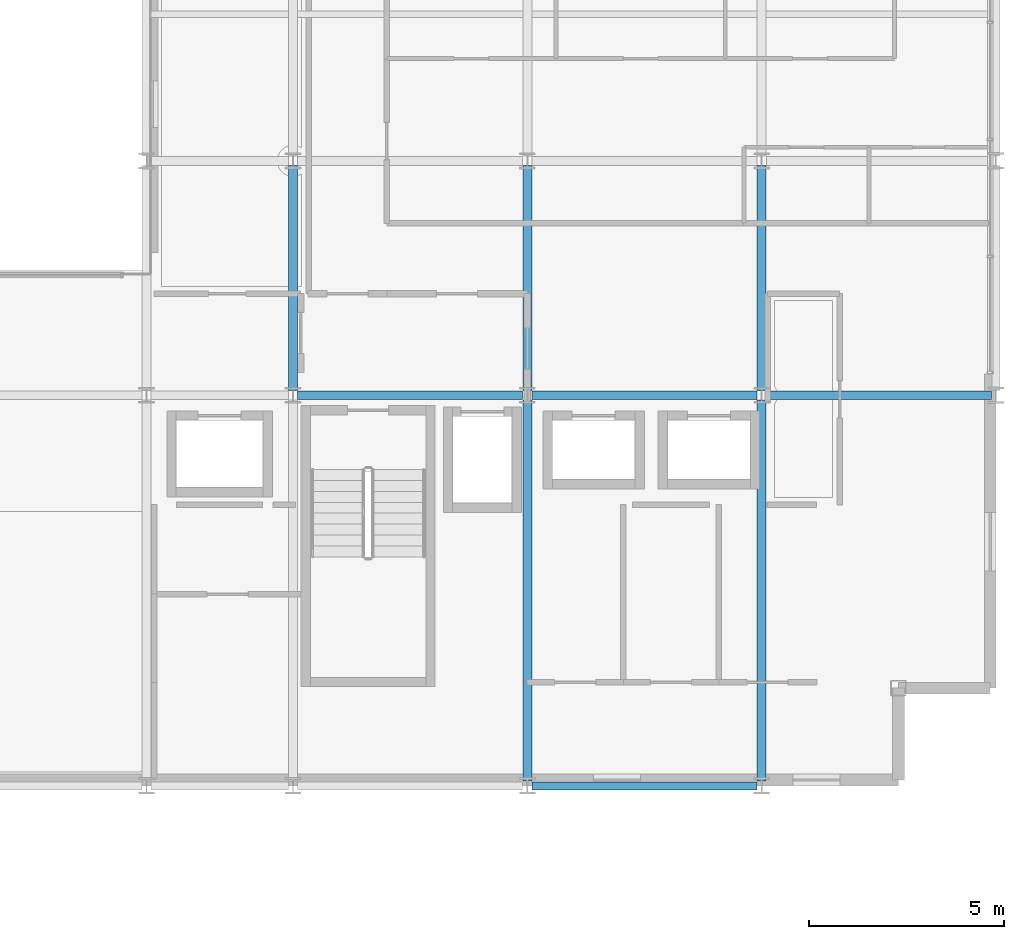
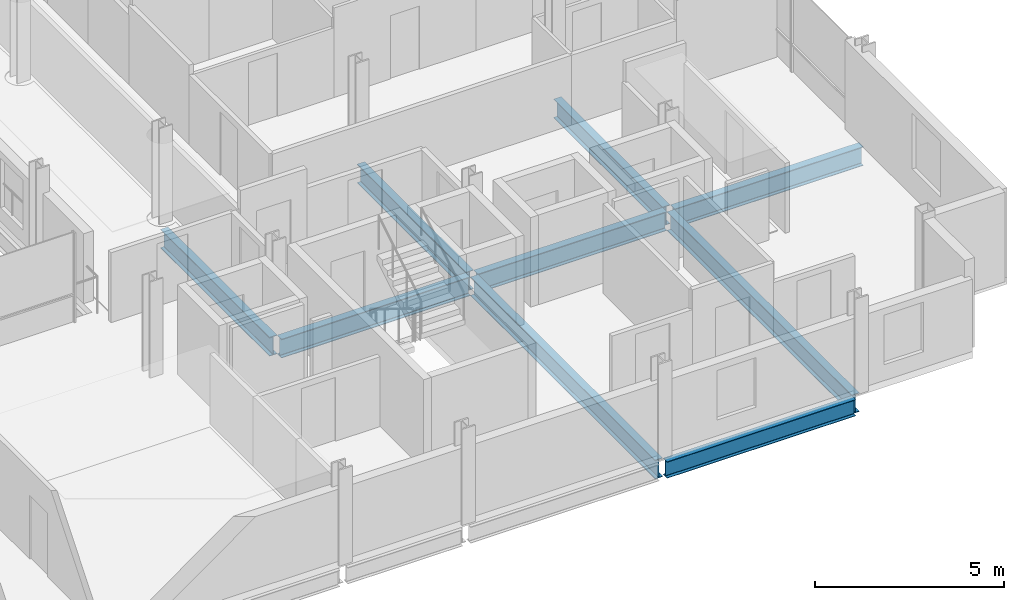
# One storey, part 16 of 41: 9 beams.
"""IFC4 building model written with IfcOpenShell, lengths in metres."""

import ifcopenshell
import ifcopenshell.guid

model = None  # the IFC model being written
_history = None  # IfcOwnerHistory: only IFC2X3 demands one
_inside = {}  # id of a spatial element -> (the spatial element, [elements in it])
_under = {}  # id of a project, library or spatial element -> (it, [spatial elements below it])
_declared = {}  # id of a project -> (the project, [libraries it declares])
_typed = {}  # id of a type object -> (the type object, [elements of that type])
_made_of = {}  # id of a material, layer set ... -> (it, [elements and type objects made of it])


def new_model(schema):
    """Start an empty IFC model of exactly this schema.

    Asked for "IFC4X3", IfcOpenShell would pick the latest addendum, in which some entities
    have other attributes; the version numbers below select the first issue.
    IFC2X3 requires an IfcOwnerHistory on every rooted entity: one is made here for all.
    """
    global model, _history
    if schema == "IFC4X3":
        model = ifcopenshell.file(schema_version=(4, 3, 0, 0))
    else:
        model = ifcopenshell.file(schema=schema)
    _inside.clear()
    _under.clear()
    _declared.clear()
    _typed.clear()
    _made_of.clear()
    _history = None
    if model.schema == "IFC2X3":
        org = make("IfcOrganization", Name="unknown")
        user = make(
            "IfcPersonAndOrganization",
            ThePerson=make("IfcPerson", FamilyName="unknown"),
            TheOrganization=org,
        )
        app = make(
            "IfcApplication",
            ApplicationDeveloper=org,
            Version="unknown",
            ApplicationFullName="unknown",
            ApplicationIdentifier="unknown",
        )
        _history = make(
            "IfcOwnerHistory",
            OwningUser=user,
            OwningApplication=app,
            ChangeAction="ADDED",
            CreationDate=0,
        )
    return model


def make(cls, **values):
    """One entity of the class cls with the attributes given. An attribute that is None is left unset."""
    return model.create_entity(
        cls, **{name: value for name, value in values.items() if value is not None}
    )


def rooted(cls, **values):
    """An entity with a GlobalId (a new one), such as an element, a storey or a relation."""
    return make(cls, GlobalId=ifcopenshell.guid.new(), OwnerHistory=_history, **values)


def si_unit(unit_type, name, prefix=None):
    """IfcSIUnit, for example si_unit("LENGTHUNIT", "METRE", prefix="MILLI")."""
    return make("IfcSIUnit", UnitType=unit_type, Prefix=prefix, Name=name)


def assignment(units):
    """IfcUnitAssignment: the units of a project."""
    return None if units is None else make("IfcUnitAssignment", Units=units)


def point(xyz):
    """IfcCartesianPoint."""
    return None if xyz is None else make("IfcCartesianPoint", Coordinates=xyz)


def direction(xyz):
    """IfcDirection."""
    return None if xyz is None else make("IfcDirection", DirectionRatios=xyz)


def frame(location, z_axis=None, x_axis=None):
    """IfcAxis2Placement3D, a coordinate frame: its origin and axes. An axis left out is left unset."""
    return make(
        "IfcAxis2Placement3D",
        Location=point(location),
        Axis=direction(z_axis),
        RefDirection=direction(x_axis),
    )


def frame_2d(location, x_axis=None):
    """IfcAxis2Placement2D, a coordinate frame in the plane: its origin and x axis."""
    return make(
        "IfcAxis2Placement2D", Location=point(location), RefDirection=direction(x_axis)
    )


def origin():
    """The frame at (0, 0, 0) with its axes left unset."""
    return frame((0.0, 0.0, 0.0))


def origin_2d():
    """The frame at (0, 0) in the plane with its x axis left unset."""
    return frame_2d((0.0, 0.0))


def place(relative_to, where):
    """IfcLocalPlacement: puts the frame where relative to a parent placement (None: the world)."""
    return make(
        "IfcLocalPlacement", PlacementRelTo=relative_to, RelativePlacement=where
    )


def context(
    kind, dimensions, precision=None, world=None, true_north=None, identifier=None
):
    """IfcGeometricRepresentationContext, for example the 3D "Model" context."""
    return make(
        "IfcGeometricRepresentationContext",
        ContextIdentifier=identifier,
        ContextType=kind,
        CoordinateSpaceDimension=dimensions,
        Precision=precision,
        WorldCoordinateSystem=world,
        TrueNorth=true_north,
    )


def subcontext(parent, identifier, kind, view, scale=None):
    """IfcGeometricRepresentationSubContext, for example "Body" below "Model"."""
    return make(
        "IfcGeometricRepresentationSubContext",
        ContextIdentifier=identifier,
        ContextType=kind,
        ParentContext=parent,
        TargetScale=scale,
        TargetView=view,
    )


def project(units=None, contexts=None):
    """IfcProject with its units and contexts."""
    return rooted(
        "IfcProject",
        Name="project",
        RepresentationContexts=contexts,
        UnitsInContext=assignment(units),
    )


def spatial(cls, under=None, at=None, **own):
    """A site, building, storey or space (cls), placed at a placement, below another one or the project."""
    s = rooted(cls, ObjectPlacement=at, **own)
    if under is not None:
        _under.setdefault(under.id(), (under, []))[1].append(s)
    return s


def profile(cls, at=None, kind="AREA", **sizes):
    """A parametric profile (cls). Its sizes go by their IFC names, for example OverallWidth=200.0."""
    return make(cls, ProfileType=kind, Position=at, **sizes)


def i_section(**sizes):
    """IfcIShapeProfileDef."""
    return profile("IfcIShapeProfileDef", **sizes)


def extrude(swept, where, along, depth):
    """IfcExtrudedAreaSolid: the profile swept, set in the frame where, extruded along a direction by depth."""
    return make(
        "IfcExtrudedAreaSolid",
        SweptArea=swept,
        Position=where,
        ExtrudedDirection=direction(along),
        Depth=depth,
    )


def shape(context_of_items, identifier, shape_type, items):
    """IfcShapeRepresentation: the items that make up one representation, for example the "Body"."""
    return make(
        "IfcShapeRepresentation",
        ContextOfItems=context_of_items,
        RepresentationIdentifier=identifier,
        RepresentationType=shape_type,
        Items=items,
    )


def material(Name=None, Category=None):
    """IfcMaterial."""
    return make("IfcMaterial", Name=Name, Category=Category)


def material_profile(
    of_material, cross_section, Name=None, Category=None, Priority=None
):
    """IfcMaterialProfile: a cross section and its material."""
    return make(
        "IfcMaterialProfile",
        Name=Name,
        Material=of_material,
        Profile=cross_section,
        Priority=Priority,
        Category=Category,
    )


def profile_set(profiles, Name=None, composite=None):
    """IfcMaterialProfileSet."""
    return make(
        "IfcMaterialProfileSet",
        Name=Name,
        MaterialProfiles=profiles,
        CompositeProfile=composite,
    )


def made_of(thing, what):
    """Note that an element or type object is made of a material, layer set ...; save() writes the relation."""
    if what is not None:
        _made_of.setdefault(what.id(), (what, []))[1].append(thing)
    return thing


def type_object(cls, material=None, **own):
    """A type object (cls), such as IfcWallType, which elements share."""
    return made_of(rooted(cls, **own), material)


def element(
    cls,
    number,
    at=None,
    inside=None,
    cuts=None,
    type_object=None,
    material=None,
    context=None,
    identifier="Body",
    shape_type=None,
    held_by="IfcProductDefinitionShape",
    body=None,
    shapes=None,
    **own,
):
    """One element of the class cls, such as IfcWall. Its Tag is "e" and its number.

    at: its placement. inside: the storey or other place that contains it. cuts: it is an
    opening in that element (IfcRelVoidsElement). A single representation is given by context,
    identifier, shape_type and body (its items); several are given by shapes. held_by: the class
    of the entity that holds the representations. save() writes the other relations.
    """
    e = rooted(cls, Tag="e%d" % number, ObjectPlacement=at, **own)
    if body is not None:
        shapes = [shape(context, identifier, shape_type, body)]
    if shapes is not None:
        e.Representation = make(held_by, Representations=shapes)
    if inside is not None:
        _inside.setdefault(inside.id(), (inside, []))[1].append(e)
    if cuts is not None:
        rooted(
            "IfcRelVoidsElement", RelatingBuildingElement=cuts, RelatedOpeningElement=e
        )
    if type_object is not None:
        _typed.setdefault(type_object.id(), (type_object, []))[1].append(e)
    return made_of(e, material)


def aggregate(whole, parts):
    """IfcRelAggregates: a whole, such as a stair, and the parts it consists of."""
    return rooted("IfcRelAggregates", RelatingObject=whole, RelatedObjects=parts)


def save(model, path):
    """Write the relations noted so far, then the file.

    IfcRelAggregates (storeys below a building ...), IfcRelContainedInSpatialStructure (elements
    in a storey), IfcRelDefinesByType, IfcRelAssociatesMaterial and IfcRelDeclares: one each for
    every whole, place, type object, material and project.
    """
    for whole, parts in _under.values():
        aggregate(whole, parts)
    for where, things in _inside.values():
        rooted(
            "IfcRelContainedInSpatialStructure",
            RelatedElements=things,
            RelatingStructure=where,
        )
    for kind, things in _typed.values():
        rooted("IfcRelDefinesByType", RelatedObjects=things, RelatingType=kind)
    for what, things in _made_of.values():
        rooted("IfcRelAssociatesMaterial", RelatedObjects=things, RelatingMaterial=what)
    for by, libraries in _declared.values():
        rooted("IfcRelDeclares", RelatingContext=by, RelatedDefinitions=libraries)
    model.write(path)


model = new_model("IFC4")

# Units and contexts
model_context = context("Model", 3, precision=1e-05, world=origin(), true_north=direction((0.0, 1.0)))
body_context = subcontext(model_context, "Body", "Model", "MODEL_VIEW")
ifc_project = project(units=[si_unit("LENGTHUNIT", "METRE"), si_unit("AREAUNIT", "SQUARE_METRE"), si_unit("VOLUMEUNIT", "CUBIC_METRE"), si_unit("PLANEANGLEUNIT", "RADIAN"), si_unit("MASSUNIT", "GRAM", prefix="KILO")], contexts=[model_context])

# Site, building, storey
site_placement = place(None, origin())
site = spatial("IfcSite", under=ifc_project, at=site_placement, CompositionType="ELEMENT")
building_placement = place(site_placement, origin())
building = spatial("IfcBuilding", under=site, at=building_placement, Name="Brevholm Reach", CompositionType="ELEMENT")
storey_placement = place(building_placement, frame((0.0, 0.0, 169.699951171875)))
storey = spatial("IfcBuildingStorey", under=building, at=storey_placement, Name="L51", CompositionType="ELEMENT", Elevation=169.699951171875)

# Beams
ifc_material_1 = material(Name="Structural Steel S355J2", Category="steel")
ifc_material_profile_1 = material_profile(ifc_material_1, i_section(OverallWidth=0.209228515625, OverallDepth=0.533203125, WebThickness=0.010009765625, FlangeThickness=0.015625, FilletRadius=0.0126953125, at=origin_2d()), Name="UKB 533x210x92")
ifc_profile_set_1 = profile_set([ifc_material_profile_1], Name="Structural Steel S355J2")
beam_type_1 = type_object("IfcBeamType", Name="BM-SP533", PredefinedType="SPANDREL", material=ifc_profile_set_1)
beam_1_placement = place(storey_placement, frame((48.1201171875, 0.0, -0.486572265625), z_axis=(1.0, 0.0, 0.0), x_axis=(0.0, 1.0, 0.0)))
element("IfcBeam", 1, at=beam_1_placement, inside=storey, type_object=beam_type_1, Name="L51 SP-02 Framing Beam", PredefinedType="SPANDREL", context=body_context, shape_type="SweptSolid", body=[
    extrude(i_section(OverallWidth=0.209228515625, OverallDepth=0.533203125, WebThickness=0.010009765625, FlangeThickness=0.015625, FilletRadius=0.0126953125, at=origin_2d()), origin(), (0.0, 0.0, 1.0), 5.759765625),
])
ifc_material_2 = material(Name="Structural Steel S355J2", Category="steel")
ifc_material_profile_2 = material_profile(ifc_material_2, i_section(OverallWidth=0.22900390625, OverallDepth=0.6123046875, WebThickness=0.011962890625, FlangeThickness=0.01953125, FilletRadius=0.0126953125, at=origin_2d()), Name="UKB 610x229x125")
ifc_profile_set_2 = profile_set([ifc_material_profile_2], Name="Structural Steel S355J2")
beam_type_2 = type_object("IfcBeamType", Name="BM-SP610", PredefinedType="SPANDREL", material=ifc_profile_set_2)
for number, where, z_axis, x_axis, name in (
    (2, (42.1201171875, 10.0, -0.526123046875), (1.0, 0.0, 0.0), (0.0, 1.0, 0.0), "L51 SP-01 Framing Beam"),
    (3, (48.1201171875, 10.0, -0.526123046875), (1.0, 0.0, 0.0), (0.0, 1.0, 0.0), "L51 SP-01 Framing Beam"),
    (4, (54.1201171875, 10.0, -0.526123046875), (1.0, 0.0, 0.0), (0.0, 1.0, 0.0), "L51 SP-01 Framing Beam"),
    (5, (42.0, 10.1201171875, -0.526123046875), (0.0, 1.0, 0.0), (-1.0, 0.0, 0.0), "L51 SP-01 Framing Beam"),
):
    element("IfcBeam", number, at=place(storey_placement, frame(where, z_axis=z_axis, x_axis=x_axis)), inside=storey, type_object=beam_type_2, Name=name, PredefinedType="SPANDREL", context=body_context, shape_type="SweptSolid", body=[
        extrude(i_section(OverallWidth=0.22900390625, OverallDepth=0.6123046875, WebThickness=0.011962890625, FlangeThickness=0.01953125, FilletRadius=0.0126953125, at=origin_2d()), origin(), (0.0, 0.0, 1.0), 5.759765625),
    ])
beam_2_placement = place(storey_placement, frame((48.0, 0.1201171875, -0.526123046875), z_axis=(0.0, 1.0, 0.0), x_axis=(-1.0, 0.0, 0.0)))
element("IfcBeam", 6, at=beam_2_placement, inside=storey, type_object=beam_type_2, Name="L51 SP-01 Framing Beam", PredefinedType="SPANDREL", context=body_context, shape_type="SweptSolid", body=[
    extrude(i_section(OverallWidth=0.22900390625, OverallDepth=0.6123046875, WebThickness=0.011962890625, FlangeThickness=0.01953125, FilletRadius=0.0126953125, at=origin_2d()), origin(), (0.0, 0.0, 1.0), 9.759765625),
])
beam_3_placement = place(storey_placement, frame((48.0, 10.1201171875, -0.526123046875), z_axis=(0.0, 1.0, 0.0), x_axis=(-1.0, 0.0, 0.0)))
element("IfcBeam", 7, at=beam_3_placement, inside=storey, type_object=beam_type_2, Name="L51 SP-01 Framing Beam", PredefinedType="SPANDREL", context=body_context, shape_type="SweptSolid", body=[
    extrude(i_section(OverallWidth=0.22900390625, OverallDepth=0.6123046875, WebThickness=0.011962890625, FlangeThickness=0.01953125, FilletRadius=0.0126953125, at=origin_2d()), origin(), (0.0, 0.0, 1.0), 5.759765625),
])
beam_4_placement = place(storey_placement, frame((54.0, 0.1201171875, -0.526123046875), z_axis=(0.0, 1.0, 0.0), x_axis=(-1.0, 0.0, 0.0)))
element("IfcBeam", 8, at=beam_4_placement, inside=storey, type_object=beam_type_2, Name="L51 SP-01 Framing Beam", PredefinedType="SPANDREL", context=body_context, shape_type="SweptSolid", body=[
    extrude(i_section(OverallWidth=0.22900390625, OverallDepth=0.6123046875, WebThickness=0.011962890625, FlangeThickness=0.01953125, FilletRadius=0.0126953125, at=origin_2d()), origin(), (0.0, 0.0, 1.0), 9.759765625),
])
beam_5_placement = place(storey_placement, frame((54.0, 10.1201171875, -0.526123046875), z_axis=(0.0, 1.0, 0.0), x_axis=(-1.0, 0.0, 0.0)))
element("IfcBeam", 9, at=beam_5_placement, inside=storey, type_object=beam_type_2, Name="L51 SP-01 Framing Beam", PredefinedType="SPANDREL", context=body_context, shape_type="SweptSolid", body=[
    extrude(i_section(OverallWidth=0.22900390625, OverallDepth=0.6123046875, WebThickness=0.011962890625, FlangeThickness=0.01953125, FilletRadius=0.0126953125, at=origin_2d()), origin(), (0.0, 0.0, 1.0), 5.759765625),
])

save(model, "model.ifc")
